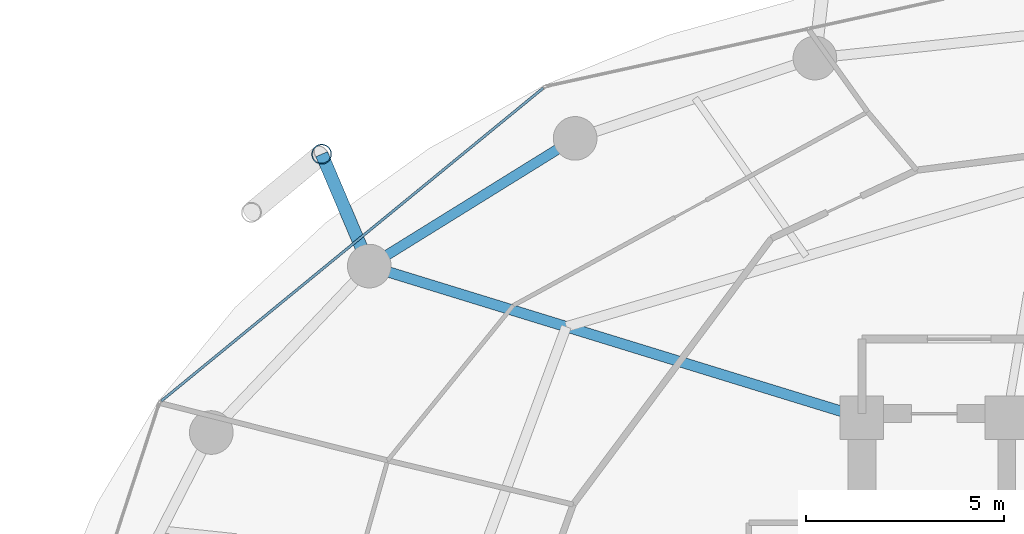
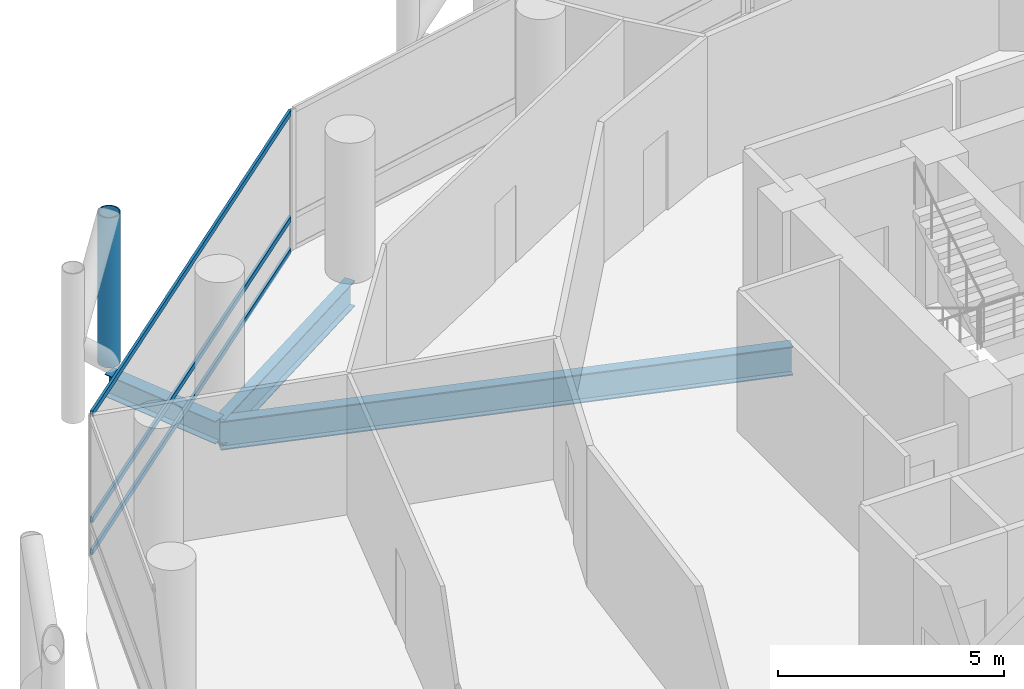
# One storey, part 14 of 24: 4 members, 3 beams, 1 element without a shape of its own.
"""IFC4 building model written with IfcOpenShell, lengths in metres."""

import ifcopenshell
import ifcopenshell.guid

model = None  # the IFC model being written
_history = None  # IfcOwnerHistory: only IFC2X3 demands one
_inside = {}  # id of a spatial element -> (the spatial element, [elements in it])
_under = {}  # id of a project, library or spatial element -> (it, [spatial elements below it])
_declared = {}  # id of a project -> (the project, [libraries it declares])
_typed = {}  # id of a type object -> (the type object, [elements of that type])
_made_of = {}  # id of a material, layer set ... -> (it, [elements and type objects made of it])


def new_model(schema):
    """Start an empty IFC model of exactly this schema.

    Asked for "IFC4X3", IfcOpenShell would pick the latest addendum, in which some entities
    have other attributes; the version numbers below select the first issue.
    IFC2X3 requires an IfcOwnerHistory on every rooted entity: one is made here for all.
    """
    global model, _history
    if schema == "IFC4X3":
        model = ifcopenshell.file(schema_version=(4, 3, 0, 0))
    else:
        model = ifcopenshell.file(schema=schema)
    _inside.clear()
    _under.clear()
    _declared.clear()
    _typed.clear()
    _made_of.clear()
    _history = None
    if model.schema == "IFC2X3":
        org = make("IfcOrganization", Name="unknown")
        user = make(
            "IfcPersonAndOrganization",
            ThePerson=make("IfcPerson", FamilyName="unknown"),
            TheOrganization=org,
        )
        app = make(
            "IfcApplication",
            ApplicationDeveloper=org,
            Version="unknown",
            ApplicationFullName="unknown",
            ApplicationIdentifier="unknown",
        )
        _history = make(
            "IfcOwnerHistory",
            OwningUser=user,
            OwningApplication=app,
            ChangeAction="ADDED",
            CreationDate=0,
        )
    return model


def make(cls, **values):
    """One entity of the class cls with the attributes given. An attribute that is None is left unset."""
    return model.create_entity(
        cls, **{name: value for name, value in values.items() if value is not None}
    )


def rooted(cls, **values):
    """An entity with a GlobalId (a new one), such as an element, a storey or a relation."""
    return make(cls, GlobalId=ifcopenshell.guid.new(), OwnerHistory=_history, **values)


def si_unit(unit_type, name, prefix=None):
    """IfcSIUnit, for example si_unit("LENGTHUNIT", "METRE", prefix="MILLI")."""
    return make("IfcSIUnit", UnitType=unit_type, Prefix=prefix, Name=name)


def assignment(units):
    """IfcUnitAssignment: the units of a project."""
    return None if units is None else make("IfcUnitAssignment", Units=units)


def point(xyz):
    """IfcCartesianPoint."""
    return None if xyz is None else make("IfcCartesianPoint", Coordinates=xyz)


def direction(xyz):
    """IfcDirection."""
    return None if xyz is None else make("IfcDirection", DirectionRatios=xyz)


def frame(location, z_axis=None, x_axis=None):
    """IfcAxis2Placement3D, a coordinate frame: its origin and axes. An axis left out is left unset."""
    return make(
        "IfcAxis2Placement3D",
        Location=point(location),
        Axis=direction(z_axis),
        RefDirection=direction(x_axis),
    )


def frame_2d(location, x_axis=None):
    """IfcAxis2Placement2D, a coordinate frame in the plane: its origin and x axis."""
    return make(
        "IfcAxis2Placement2D", Location=point(location), RefDirection=direction(x_axis)
    )


def origin():
    """The frame at (0, 0, 0) with its axes left unset."""
    return frame((0.0, 0.0, 0.0))


def origin_2d():
    """The frame at (0, 0) in the plane with its x axis left unset."""
    return frame_2d((0.0, 0.0))


def place(relative_to, where):
    """IfcLocalPlacement: puts the frame where relative to a parent placement (None: the world)."""
    return make(
        "IfcLocalPlacement", PlacementRelTo=relative_to, RelativePlacement=where
    )


def context(
    kind, dimensions, precision=None, world=None, true_north=None, identifier=None
):
    """IfcGeometricRepresentationContext, for example the 3D "Model" context."""
    return make(
        "IfcGeometricRepresentationContext",
        ContextIdentifier=identifier,
        ContextType=kind,
        CoordinateSpaceDimension=dimensions,
        Precision=precision,
        WorldCoordinateSystem=world,
        TrueNorth=true_north,
    )


def subcontext(parent, identifier, kind, view, scale=None):
    """IfcGeometricRepresentationSubContext, for example "Body" below "Model"."""
    return make(
        "IfcGeometricRepresentationSubContext",
        ContextIdentifier=identifier,
        ContextType=kind,
        ParentContext=parent,
        TargetScale=scale,
        TargetView=view,
    )


def project(units=None, contexts=None):
    """IfcProject with its units and contexts."""
    return rooted(
        "IfcProject",
        Name="project",
        RepresentationContexts=contexts,
        UnitsInContext=assignment(units),
    )


def spatial(cls, under=None, at=None, **own):
    """A site, building, storey or space (cls), placed at a placement, below another one or the project."""
    s = rooted(cls, ObjectPlacement=at, **own)
    if under is not None:
        _under.setdefault(under.id(), (under, []))[1].append(s)
    return s


def profile(cls, at=None, kind="AREA", **sizes):
    """A parametric profile (cls). Its sizes go by their IFC names, for example OverallWidth=200.0."""
    return make(cls, ProfileType=kind, Position=at, **sizes)


def hollow_rectangle(**sizes):
    """IfcRectangleHollowProfileDef."""
    return profile("IfcRectangleHollowProfileDef", **sizes)


def hollow_circle(**sizes):
    """IfcCircleHollowProfileDef."""
    return profile("IfcCircleHollowProfileDef", **sizes)


def i_section(**sizes):
    """IfcIShapeProfileDef."""
    return profile("IfcIShapeProfileDef", **sizes)


def extrude(swept, where, along, depth):
    """IfcExtrudedAreaSolid: the profile swept, set in the frame where, extruded along a direction by depth."""
    return make(
        "IfcExtrudedAreaSolid",
        SweptArea=swept,
        Position=where,
        ExtrudedDirection=direction(along),
        Depth=depth,
    )


def shape(context_of_items, identifier, shape_type, items):
    """IfcShapeRepresentation: the items that make up one representation, for example the "Body"."""
    return make(
        "IfcShapeRepresentation",
        ContextOfItems=context_of_items,
        RepresentationIdentifier=identifier,
        RepresentationType=shape_type,
        Items=items,
    )


def material(Name=None, Category=None):
    """IfcMaterial."""
    return make("IfcMaterial", Name=Name, Category=Category)


def layer(
    of_material, thickness, ventilated=None, Name=None, Category=None, Priority=None
):
    """IfcMaterialLayer: one layer of a wall or slab, of a material (None: an air gap)."""
    return make(
        "IfcMaterialLayer",
        Material=of_material,
        LayerThickness=thickness,
        IsVentilated=ventilated,
        Name=Name,
        Category=Category,
        Priority=Priority,
    )


def layer_set(layers, Name=None):
    """IfcMaterialLayerSet."""
    return make("IfcMaterialLayerSet", MaterialLayers=layers, LayerSetName=Name)


def material_profile(
    of_material, cross_section, Name=None, Category=None, Priority=None
):
    """IfcMaterialProfile: a cross section and its material."""
    return make(
        "IfcMaterialProfile",
        Name=Name,
        Material=of_material,
        Profile=cross_section,
        Priority=Priority,
        Category=Category,
    )


def profile_set(profiles, Name=None, composite=None):
    """IfcMaterialProfileSet."""
    return make(
        "IfcMaterialProfileSet",
        Name=Name,
        MaterialProfiles=profiles,
        CompositeProfile=composite,
    )


def made_of(thing, what):
    """Note that an element or type object is made of a material, layer set ...; save() writes the relation."""
    if what is not None:
        _made_of.setdefault(what.id(), (what, []))[1].append(thing)
    return thing


def type_object(cls, material=None, **own):
    """A type object (cls), such as IfcWallType, which elements share."""
    return made_of(rooted(cls, **own), material)


def element(
    cls,
    number,
    at=None,
    inside=None,
    cuts=None,
    type_object=None,
    material=None,
    context=None,
    identifier="Body",
    shape_type=None,
    held_by="IfcProductDefinitionShape",
    body=None,
    shapes=None,
    **own,
):
    """One element of the class cls, such as IfcWall. Its Tag is "e" and its number.

    at: its placement. inside: the storey or other place that contains it. cuts: it is an
    opening in that element (IfcRelVoidsElement). A single representation is given by context,
    identifier, shape_type and body (its items); several are given by shapes. held_by: the class
    of the entity that holds the representations. save() writes the other relations.
    """
    e = rooted(cls, Tag="e%d" % number, ObjectPlacement=at, **own)
    if body is not None:
        shapes = [shape(context, identifier, shape_type, body)]
    if shapes is not None:
        e.Representation = make(held_by, Representations=shapes)
    if inside is not None:
        _inside.setdefault(inside.id(), (inside, []))[1].append(e)
    if cuts is not None:
        rooted(
            "IfcRelVoidsElement", RelatingBuildingElement=cuts, RelatedOpeningElement=e
        )
    if type_object is not None:
        _typed.setdefault(type_object.id(), (type_object, []))[1].append(e)
    return made_of(e, material)


def aggregate(whole, parts):
    """IfcRelAggregates: a whole, such as a stair, and the parts it consists of."""
    return rooted("IfcRelAggregates", RelatingObject=whole, RelatedObjects=parts)


def save(model, path):
    """Write the relations noted so far, then the file.

    IfcRelAggregates (storeys below a building ...), IfcRelContainedInSpatialStructure (elements
    in a storey), IfcRelDefinesByType, IfcRelAssociatesMaterial and IfcRelDeclares: one each for
    every whole, place, type object, material and project.
    """
    for whole, parts in _under.values():
        aggregate(whole, parts)
    for where, things in _inside.values():
        rooted(
            "IfcRelContainedInSpatialStructure",
            RelatedElements=things,
            RelatingStructure=where,
        )
    for kind, things in _typed.values():
        rooted("IfcRelDefinesByType", RelatedObjects=things, RelatingType=kind)
    for what, things in _made_of.values():
        rooted("IfcRelAssociatesMaterial", RelatedObjects=things, RelatingMaterial=what)
    for by, libraries in _declared.values():
        rooted("IfcRelDeclares", RelatingContext=by, RelatedDefinitions=libraries)
    model.write(path)


model = new_model("IFC4")

# Units and contexts
model_context = context("Model", 3, precision=1e-05, world=origin(), true_north=direction((0.0, 1.0)))
body_context = subcontext(model_context, "Body", "Model", "MODEL_VIEW")
ifc_project = project(units=[si_unit("LENGTHUNIT", "METRE"), si_unit("AREAUNIT", "SQUARE_METRE"), si_unit("VOLUMEUNIT", "CUBIC_METRE"), si_unit("PLANEANGLEUNIT", "RADIAN"), si_unit("MASSUNIT", "GRAM", prefix="KILO")], contexts=[model_context])

# Site, building, storey
site_placement = place(None, origin())
site = spatial("IfcSite", under=ifc_project, at=site_placement, CompositionType="ELEMENT")
building_placement = place(site_placement, origin())
building = spatial("IfcBuilding", under=site, at=building_placement, Name="Nuhasar Tower", CompositionType="ELEMENT")
storey_placement = place(building_placement, frame((0.0, 0.0, 85.800048828125)))
storey = spatial("IfcBuildingStorey", under=building, at=storey_placement, Name="L20", CompositionType="ELEMENT", Elevation=85.800048828125)

# Beams
ifc_material_1 = material(Name="Steel S355", Category="steel")
ifc_material_profile_1 = material_profile(ifc_material_1, i_section(OverallWidth=0.26611328125, OverallDepth=0.779052734375, WebThickness=0.0166015625, FlangeThickness=0.030029296875, at=origin_2d()), Name="W30X148")
ifc_profile_set_1 = profile_set([ifc_material_profile_1], Name="Steel S355")
beam_type_1 = type_object("IfcBeamType", Name="BM-RAD-W30X148", PredefinedType="BEAM", material=ifc_profile_set_1)
beam_1_placement = place(storey_placement, frame((33.699951171875, 37.300048828125, -0.64013671875), z_axis=(-0.955789576103, 0.294051502653, 0.0), x_axis=(-0.294051502653, -0.955789576103, 0.0)))
element("IfcBeam", 1, at=beam_1_placement, inside=storey, type_object=beam_type_1, Name="L20 Radial Floor Girder 07", PredefinedType="BEAM", context=body_context, shape_type="SweptSolid", body=[
    extrude(i_section(OverallWidth=0.26611328125, OverallDepth=0.779052734375, WebThickness=0.0166015625, FlangeThickness=0.030029296875, at=origin_2d()), origin(), (0.0, 0.0, 1.0), 12.987060546875),
])
ifc_material_profile_2 = material_profile(ifc_material_1, i_section(OverallWidth=0.256103515625, OverallDepth=0.693115234375, WebThickness=0.014404296875, FlangeThickness=0.023681640625, at=origin_2d()), Name="W27X114")
ifc_profile_set_2 = profile_set([ifc_material_profile_2], Name="Steel S355")
beam_type_2 = type_object("IfcBeamType", Name="BM-RING-W27X114", PredefinedType="SPANDREL", material=ifc_profile_set_2)
beam_2_placement = place(storey_placement, frame((26.47509765625, 44.3369140625, -0.59716796875), z_axis=(-0.849795216549, -0.527112976439, 0.0), x_axis=(0.527112976439, -0.849795216549, 0.0)))
element("IfcBeam", 2, at=beam_2_placement, inside=storey, type_object=beam_type_2, Name="L20 Perimeter Ring Spandrel 09", PredefinedType="SPANDREL", context=body_context, shape_type="SweptSolid", body=[
    extrude(i_section(OverallWidth=0.256103515625, OverallDepth=0.693115234375, WebThickness=0.014404296875, FlangeThickness=0.023681640625, at=origin_2d()), origin(), (0.0, 0.0, 1.0), 6.10498046875),
])
ifc_material_profile_3 = material_profile(ifc_material_1, i_section(OverallWidth=0.323974609375, OverallDepth=0.611083984375, WebThickness=0.0126953125, FlangeThickness=0.01904296875, at=origin_2d()), Name="W24X104")
ifc_profile_set_3 = profile_set([ifc_material_profile_3], Name="Steel S355")
beam_type_3 = type_object("IfcBeamType", Name="BM-TIE-W24X104", PredefinedType="BEAM", material=ifc_profile_set_3)
beam_3_placement = place(storey_placement, frame((21.287109375, 41.118896484375, -0.554931640625), z_axis=(-0.391601084021, 0.920135093882, 0.0), x_axis=(-0.920135093882, -0.391601084021, 0.0)))
element("IfcBeam", 3, at=beam_3_placement, inside=storey, type_object=beam_type_3, Name="L20 Exoskeleton Node Tie Beam 05", PredefinedType="BEAM", context=body_context, shape_type="SweptSolid", body=[
    extrude(i_section(OverallWidth=0.323974609375, OverallDepth=0.611083984375, WebThickness=0.0126953125, FlangeThickness=0.01904296875, at=origin_2d()), origin(), (0.0, 0.0, 1.0), 3.06494140625),
])

# Curtain wall, members
ifc_material_2 = material(Name="Aluminium 6063-T6", Category="aluminium")
ifc_layer = layer(ifc_material_2, 0.199951171875)
ifc_layer_set = layer_set([ifc_layer], Name="Aluminium 6063-T6")
curtain_wall_type = type_object("IfcCurtainWallType", Name="CW-Z1-OFF", PredefinedType="NOTDEFINED", material=ifc_layer_set)
curtain_wall_placement = place(storey_placement, origin())
curtain_wall = element("IfcCurtainWall", 4, at=curtain_wall_placement, inside=storey, type_object=curtain_wall_type, Name="L20 Unitised Curtain Wall 05", PredefinedType="NOTDEFINED")
ifc_material_profile_4 = material_profile(ifc_material_2, hollow_rectangle(XDim=0.06494140625, YDim=0.14990234375, WallThickness=0.00439453125, at=origin_2d()), Name="CWT-2")
ifc_profile_set_4 = profile_set([ifc_material_profile_4], Name="Aluminium 6063-T6")
member_type_1 = type_object("IfcMemberType", Name="CW-TRN-S2", PredefinedType="USERDEFINED", material=ifc_profile_set_4)
member_1_placement = place(storey_placement, frame((25.669677734375, 45.603759765625, 0.032470703125), z_axis=(-0.773540851599, -0.633746440548, 0.0), x_axis=(0.633746440548, -0.773540851599, 0.0)))
member_1 = element("IfcMember", 5, at=member_1_placement, type_object=member_type_1, Name="CW-Z1 transom 1.1", ObjectType="TRANSOM", PredefinedType="USERDEFINED", context=body_context, shape_type="SweptSolid", body=[
    extrude(hollow_rectangle(XDim=0.06494140625, YDim=0.14990234375, WallThickness=0.00439453125, at=origin_2d()), origin(), (0.0, 0.0, 1.0), 12.43798828125),
])
member_2_placement = place(storey_placement, frame((25.669677734375, 45.603759765625, 0.89990234375), z_axis=(-0.773540851599, -0.633746440548, 0.0), x_axis=(0.633746440548, -0.773540851599, 0.0)))
member_2 = element("IfcMember", 6, at=member_2_placement, type_object=member_type_1, Name="CW-Z1 transom 1.2", ObjectType="TRANSOM", PredefinedType="USERDEFINED", context=body_context, shape_type="SweptSolid", body=[
    extrude(hollow_rectangle(XDim=0.06494140625, YDim=0.14990234375, WallThickness=0.00439453125, at=origin_2d()), origin(), (0.0, 0.0, 1.0), 12.43798828125),
])
member_3_placement = place(storey_placement, frame((25.669677734375, 45.603759765625, 3.767333984375), z_axis=(-0.773540851599, -0.633746440548, 0.0), x_axis=(0.633746440548, -0.773540851599, 0.0)))
member_3 = element("IfcMember", 7, at=member_3_placement, type_object=member_type_1, Name="CW-Z1 transom 1.3", ObjectType="TRANSOM", PredefinedType="USERDEFINED", context=body_context, shape_type="SweptSolid", body=[
    extrude(hollow_rectangle(XDim=0.06494140625, YDim=0.14990234375, WallThickness=0.00439453125, at=origin_2d()), origin(), (0.0, 0.0, 1.0), 12.43798828125),
])
aggregate(curtain_wall, [member_1, member_2, member_3])

# Member
ifc_material_3 = material(Name="Steel S460", Category="steel")
ifc_material_profile_5 = material_profile(ifc_material_3, hollow_circle(Radius=0.25390625, WallThickness=0.025390625, at=origin_2d()), Name="HSS508X25.4")
ifc_profile_set_5 = profile_set([ifc_material_profile_5], Name="Steel S460")
member_type_2 = type_object("IfcMemberType", Name="EXO-BRONZE-508", PredefinedType="BRACE", material=ifc_profile_set_5)
member_4_placement = place(storey_placement, frame((20.0869140625, 43.93896484375, 0.0), z_axis=(0.0, 0.0, 1.0), x_axis=(1.0, 0.0, 0.0)))
element("IfcMember", 8, at=member_4_placement, inside=storey, type_object=member_type_2, Name="L20 Exoskeleton Chord Column EC-05A", PredefinedType="BRACE", context=body_context, shape_type="SweptSolid", body=[
    extrude(hollow_circle(Radius=0.25390625, WallThickness=0.025390625, at=origin_2d()), origin(), (0.0, 0.0, 1.0), 4.050048828125),
])

save(model, "model.ifc")
